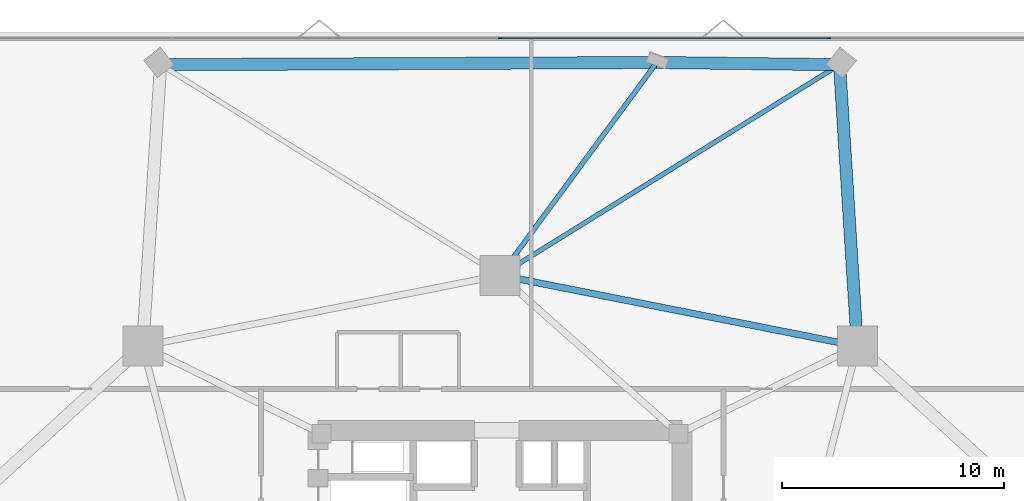
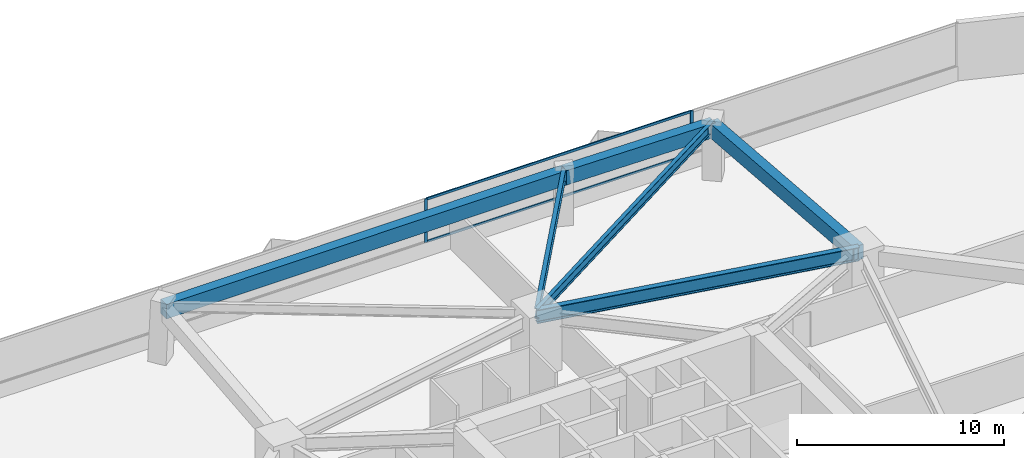
# One storey, part 12 of 20: 6 beams, 4 members, 1 element without a shape of its own.
"""IFC4 building model written with IfcOpenShell, lengths in metres."""

from ifc_helpers import new_model, si_unit, direction, frame, origin, origin_2d, place, context, subcontext, project, spatial, rectangle, i_section, extrude, material, layer, layer_set, material_profile, profile_set, type_object, element, aggregate, save


model = new_model("IFC4")

# Units and contexts
model_context = context("Model", 3, precision=1e-05, world=origin(), true_north=direction((0.0, 1.0)))
body_context = subcontext(model_context, "Body", "Model", "MODEL_VIEW")
ifc_project = project(units=[si_unit("LENGTHUNIT", "METRE"), si_unit("AREAUNIT", "SQUARE_METRE"), si_unit("VOLUMEUNIT", "CUBIC_METRE"), si_unit("PLANEANGLEUNIT", "RADIAN"), si_unit("MASSUNIT", "GRAM", prefix="KILO")], contexts=[model_context])

# Site, building, storey
site_placement = place(None, origin())
site = spatial("IfcSite", under=ifc_project, at=site_placement, CompositionType="ELEMENT")
building_placement = place(site_placement, origin())
building = spatial("IfcBuilding", under=site, at=building_placement, Name="Talyreon Biosciences Tower", CompositionType="ELEMENT")
storey_placement = place(building_placement, frame((0.0, 0.0, 26.449951171875)))
storey = spatial("IfcBuildingStorey", under=building, at=storey_placement, Name="L06", CompositionType="ELEMENT", Elevation=26.449951171875)

# Curtain wall, members
ifc_material_1 = material(Name="Thermally broken aluminium and low-E glazing", Category="aluminium")
ifc_layer = layer(ifc_material_1, 0.195068359375)
ifc_layer_set = layer_set([ifc_layer], Name="Thermally broken aluminium and low-E glazing")
curtain_wall_type = type_object("IfcCurtainWallType", Name="CurtainWall_Zone1WetLab", PredefinedType="NOTDEFINED", material=ifc_layer_set)
curtain_wall_placement = place(storey_placement, origin())
curtain_wall = element("IfcCurtainWall", 1, at=curtain_wall_placement, inside=storey, type_object=curtain_wall_type, Name="L06 Unitised Curtain Wall FCW-L06-04", PredefinedType="NOTDEFINED")
ifc_material_2 = material(Name="Anodised thermally broken aluminium", Category="aluminium")
ifc_material_profile_1 = material_profile(ifc_material_2, rectangle(XDim=0.06494140625, YDim=0.179931640625, at=origin_2d()), Name="ALUM MULLION 65x180")
ifc_profile_set_1 = profile_set([ifc_material_profile_1], Name="Anodised thermally broken aluminium")
member_type_1 = type_object("IfcMemberType", Name="CWMullion_65x180", PredefinedType="MULLION", material=ifc_profile_set_1)
member_1_placement = place(storey_placement, frame((66.0, 92.474365234375, 0.81005859375), z_axis=(0.0, 0.0, 1.0), x_axis=(0.0, 1.0, 0.0)))
member_1 = element("IfcMember", 2, at=member_1_placement, type_object=member_type_1, Name="CW2 mullion 3", PredefinedType="MULLION", context=body_context, shape_type="SweptSolid", body=[
    extrude(rectangle(XDim=0.06494140625, YDim=0.179931640625, at=origin_2d()), origin(), (0.0, 0.0, 1.0), 2.56494140625),
])
member_2_placement = place(storey_placement, frame((80.8056640625, 92.474365234375, 0.81005859375), z_axis=(0.0, 0.0, 1.0), x_axis=(0.0, 1.0, 0.0)))
member_2 = element("IfcMember", 3, at=member_2_placement, type_object=member_type_1, Name="CW2 mullion 4", PredefinedType="MULLION", context=body_context, shape_type="SweptSolid", body=[
    extrude(rectangle(XDim=0.06494140625, YDim=0.179931640625, at=origin_2d()), origin(), (0.0, 0.0, 1.0), 2.56494140625),
])
ifc_material_profile_2 = material_profile(ifc_material_2, rectangle(XDim=0.06494140625, YDim=0.139892578125, at=origin_2d()), Name="ALUM TRANSOM 65x140")
ifc_profile_set_2 = profile_set([ifc_material_profile_2], Name="Anodised thermally broken aluminium")
member_type_2 = type_object("IfcMemberType", Name="CWTransom_65x140", PredefinedType="USERDEFINED", material=ifc_profile_set_2)
member_3_placement = place(storey_placement, frame((66.032470703125, 92.474365234375, 0.842529296875), z_axis=(1.0, 0.0, 0.0), x_axis=(0.0, 1.0, 0.0)))
member_3 = element("IfcMember", 4, at=member_3_placement, type_object=member_type_2, Name="CW2 transom 3.1", ObjectType="TRANSOM", PredefinedType="USERDEFINED", context=body_context, shape_type="SweptSolid", body=[
    extrude(rectangle(XDim=0.06494140625, YDim=0.139892578125, at=origin_2d()), origin(), (0.0, 0.0, 1.0), 14.74072265625),
])
member_4_placement = place(storey_placement, frame((66.032470703125, 92.474365234375, 3.342529296875), z_axis=(1.0, 0.0, 0.0), x_axis=(0.0, 1.0, 0.0)))
member_4 = element("IfcMember", 5, at=member_4_placement, type_object=member_type_2, Name="CW2 transom 3.2", ObjectType="TRANSOM", PredefinedType="USERDEFINED", context=body_context, shape_type="SweptSolid", body=[
    extrude(rectangle(XDim=0.06494140625, YDim=0.139892578125, at=origin_2d()), origin(), (0.0, 0.0, 1.0), 14.74072265625),
])
aggregate(curtain_wall, [member_1, member_2, member_3, member_4])

# Beams
ifc_material_3 = material(Name="Precast concrete C45/55", Category="concrete")
ifc_material_profile_3 = material_profile(ifc_material_3, rectangle(XDim=0.550048828125, YDim=0.85009765625, at=origin_2d()), Name="RCB 550x850")
ifc_profile_set_3 = profile_set([ifc_material_profile_3], Name="Precast concrete C45/55")
beam_type_1 = type_object("IfcBeamType", Name="ExpressedSpandrel_550x850", PredefinedType="SPANDREL", material=ifc_profile_set_3)
beam_1_placement = place(storey_placement, frame((82.102294921875, 78.5986328125, 2.949951171875), z_axis=(-0.063125759603, 0.998005580382, 0.0), x_axis=(-0.998005580382, -0.063125759603, 0.0)))
element("IfcBeam", 6, at=beam_1_placement, inside=storey, type_object=beam_type_1, Name="L06 Expressed Horizontal Concrete Spandrel 05", PredefinedType="SPANDREL", context=body_context, shape_type="SweptSolid", body=[
    extrude(rectangle(XDim=0.550048828125, YDim=0.85009765625, at=origin_2d()), origin(), (0.0, 0.0, 1.0), 12.708740234375),
])
beam_2_placement = place(storey_placement, frame((81.300048828125, 91.281982421875, 2.949951171875), z_axis=(-0.999926197551, 0.012149051445, 0.0), x_axis=(-0.012149051445, -0.999926197551, 0.0)))
element("IfcBeam", 7, at=beam_2_placement, inside=storey, type_object=beam_type_1, Name="L06 Expressed Horizontal Concrete Spandrel 06", PredefinedType="SPANDREL", context=body_context, shape_type="SweptSolid", body=[
    extrude(rectangle(XDim=0.550048828125, YDim=0.85009765625, at=origin_2d()), origin(), (0.0, 0.0, 1.0), 8.239013671875),
])
beam_3_placement = place(storey_placement, frame((73.0615234375, 91.382080078125, 2.949951171875), z_axis=(-0.99998998141, -0.004476279763, 0.0), x_axis=(0.004476279763, -0.99998998141, 0.0)))
element("IfcBeam", 8, at=beam_3_placement, inside=storey, type_object=beam_type_1, Name="L06 Expressed Horizontal Concrete Spandrel 07", PredefinedType="SPANDREL", context=body_context, shape_type="SweptSolid", body=[
    extrude(rectangle(XDim=0.550048828125, YDim=0.85009765625, at=origin_2d()), origin(), (0.0, 0.0, 1.0), 22.36181640625),
])
ifc_material_4 = material(Name="Steel SM355", Category="steel")
ifc_material_profile_4 = material_profile(ifc_material_4, i_section(OverallWidth=0.300048828125, OverallDepth=0.800048828125, WebThickness=0.017578125, FlangeThickness=0.032958984375, FilletRadius=0.030029296875, at=origin_2d()), Name="HE800B")
ifc_profile_set_4 = profile_set([ifc_material_profile_4], Name="Steel SM355")
beam_type_2 = type_object("IfcBeamType", Name="SteelGirder_HE800B", PredefinedType="BEAM", material=ifc_profile_set_4)
beam_4_placement = place(storey_placement, frame((82.102294921875, 78.5986328125, 2.97509765625), z_axis=(-0.980933730698, 0.194342522311, 0.0), x_axis=(-0.194342522311, -0.980933730698, 0.0)))
element("IfcBeam", 9, at=beam_4_placement, inside=storey, type_object=beam_type_2, Name="L06 Mega-Ring Girder 3", PredefinedType="BEAM", context=body_context, shape_type="SweptSolid", body=[
    extrude(i_section(OverallWidth=0.300048828125, OverallDepth=0.800048828125, WebThickness=0.017578125, FlangeThickness=0.032958984375, FilletRadius=0.030029296875, at=origin_2d()), origin(), (0.0, 0.0, 1.0), 16.415283203125),
])
ifc_material_profile_5 = material_profile(ifc_material_4, i_section(OverallWidth=0.2099609375, OverallDepth=0.550048828125, WebThickness=0.010986328125, FlangeThickness=0.01708984375, FilletRadius=0.02392578125, at=origin_2d()), Name="IPE550")
ifc_profile_set_5 = profile_set([ifc_material_profile_5], Name="Steel SM355")
beam_type_3 = type_object("IfcBeamType", Name="SteelJoist_IPE550", PredefinedType="JOIST", material=ifc_profile_set_5)
beam_5_placement = place(storey_placement, frame((66.0, 81.788818359375, 3.10009765625), z_axis=(0.849725209854, 0.527225822336, 0.0), x_axis=(-0.527225822336, 0.849725209854, 0.0)))
element("IfcBeam", 10, at=beam_5_placement, inside=storey, type_object=beam_type_3, Name="L06 Radial Composite Floor Joist PC-N1", PredefinedType="JOIST", context=body_context, shape_type="SweptSolid", body=[
    extrude(i_section(OverallWidth=0.2099609375, OverallDepth=0.550048828125, WebThickness=0.010986328125, FlangeThickness=0.01708984375, FilletRadius=0.02392578125, at=origin_2d()), origin(), (0.0, 0.0, 1.0), 18.005859375),
])
ifc_material_profile_6 = material_profile(ifc_material_4, i_section(OverallWidth=0.219970703125, OverallDepth=0.60009765625, WebThickness=0.011962890625, FlangeThickness=0.01904296875, FilletRadius=0.02392578125, at=origin_2d()), Name="IPE600")
ifc_profile_set_6 = profile_set([ifc_material_profile_6], Name="Steel SM355")
beam_type_4 = type_object("IfcBeamType", Name="SteelJoist_IPE600", PredefinedType="JOIST", material=ifc_profile_set_6)
beam_6_placement = place(storey_placement, frame((66.0, 81.788818359375, 3.074951171875), z_axis=(0.592807458914, 0.805344222464, 0.0), x_axis=(-0.805344222464, 0.592807458914, 0.0)))
element("IfcBeam", 11, at=beam_6_placement, inside=storey, type_object=beam_type_4, Name="L06 Radial Composite Floor Joist PL-N", PredefinedType="JOIST", context=body_context, shape_type="SweptSolid", body=[
    extrude(i_section(OverallWidth=0.219970703125, OverallDepth=0.60009765625, WebThickness=0.011962890625, FlangeThickness=0.01904296875, FilletRadius=0.02392578125, at=origin_2d()), origin(), (0.0, 0.0, 1.0), 11.912109375),
])

save(model, "model.ifc")
